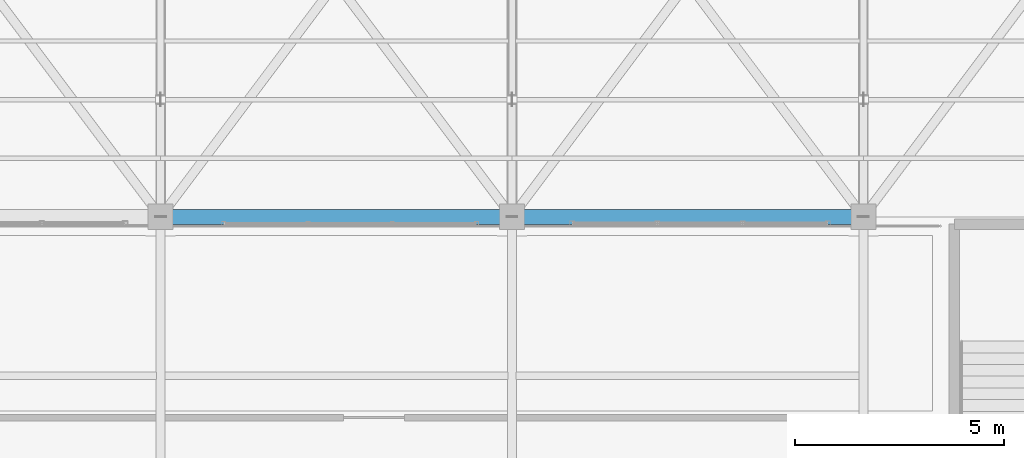
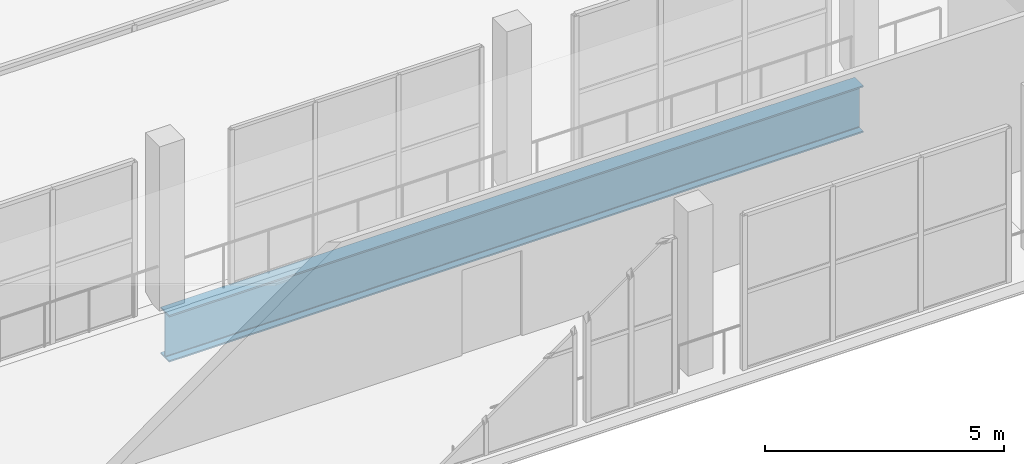
# One storey, part 74 of 217: 1 beam.
"""IFC4 building model written with IfcOpenShell, lengths in metres."""

from ifc_helpers import new_model, si_unit, direction, frame, origin, origin_2d, place, context, subcontext, project, spatial, i_section, extrude, material, material_profile, profile_set, type_object, element, save


model = new_model("IFC4")

# Units and contexts
model_context = context("Model", 3, precision=1e-05, world=origin(), true_north=direction((0.0, 1.0)))
body_context = subcontext(model_context, "Body", "Model", "MODEL_VIEW")
ifc_project = project(units=[si_unit("LENGTHUNIT", "METRE"), si_unit("AREAUNIT", "SQUARE_METRE"), si_unit("VOLUMEUNIT", "CUBIC_METRE"), si_unit("PLANEANGLEUNIT", "RADIAN"), si_unit("MASSUNIT", "GRAM", prefix="KILO")], contexts=[model_context])

# Site, building, storey
site_placement = place(None, origin())
site = spatial("IfcSite", under=ifc_project, at=site_placement, CompositionType="ELEMENT")
building_placement = place(site_placement, origin())
building = spatial("IfcBuilding", under=site, at=building_placement, Name="Zuvorla Pavilion Media Centre", CompositionType="ELEMENT")
storey_placement = place(building_placement, frame((0.0, 0.0, 9.60009765625)))
storey = spatial("IfcBuildingStorey", under=building, at=storey_placement, Name="L02", CompositionType="ELEMENT", Elevation=9.60009765625)

# Beam
ifc_material = material(Name="Steel S355", Category="steel")
ifc_material_profile = material_profile(ifc_material, i_section(OverallWidth=0.360107421875, OverallDepth=1.199951171875, WebThickness=0.02001953125, FlangeThickness=0.0380859375, FilletRadius=0.02392578125, at=origin_2d()), Name="PG 1200x360x38")
ifc_profile_set = profile_set([ifc_material_profile], Name="Steel S355")
beam_type = type_object("IfcBeamType", Name="BM-PG1200", PredefinedType="BEAM", material=ifc_profile_set)
beam_placement = place(storey_placement, frame((75.199951171875, 89.60009765625, -0.88818359375), z_axis=(1.0, 0.0, 0.0), x_axis=(0.0, 1.0, 0.0)))
element("IfcBeam", 1, at=beam_placement, inside=storey, type_object=beam_type, Name="L02 beam B01 1780", PredefinedType="BEAM", context=body_context, shape_type="SweptSolid", body=[
    extrude(i_section(OverallWidth=0.360107421875, OverallDepth=1.199951171875, WebThickness=0.02001953125, FlangeThickness=0.0380859375, FilletRadius=0.02392578125, at=origin_2d()), origin(), (0.0, 0.0, 1.0), 16.800048828125),
])

save(model, "model.ifc")
